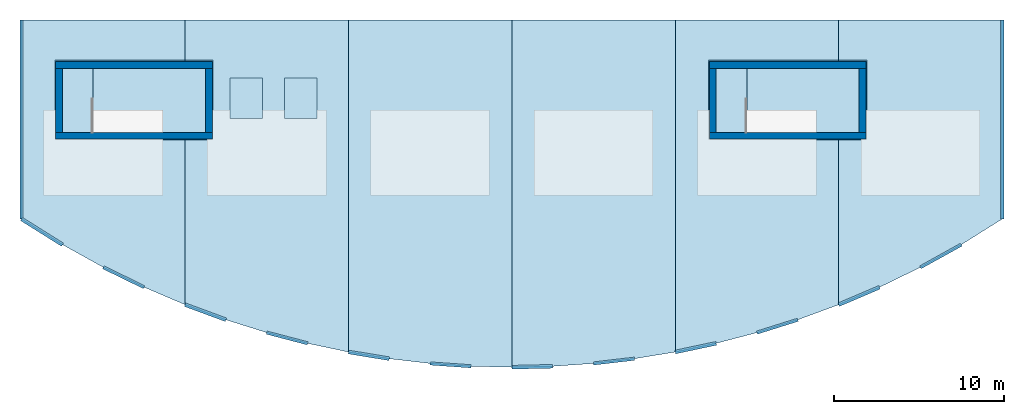
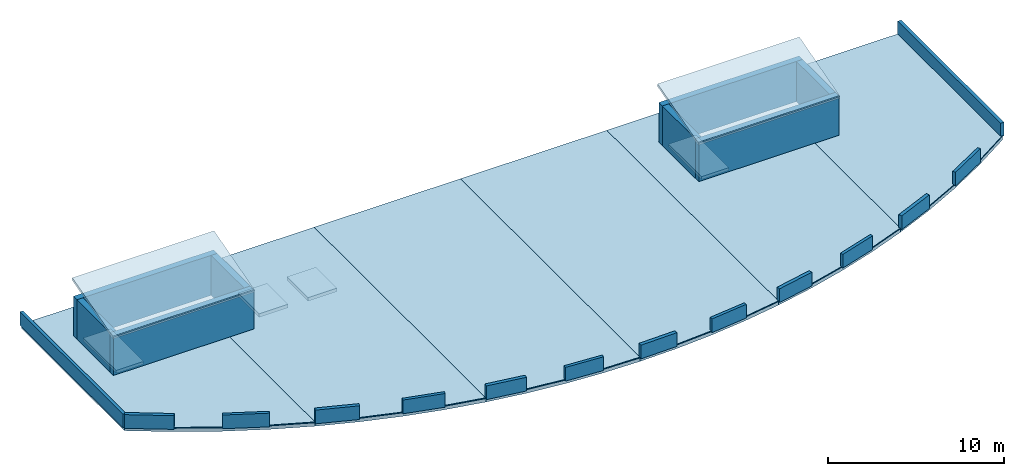
# One storey, part 1 of 2: 22 walls, 12 slabs, 6 roofs.
"""IFC4 building model written with IfcOpenShell, lengths in metres."""

from ifc_helpers import new_model, si_unit, direction, frame, frame_2d, origin, place, context, subcontext, project, spatial, polyline, rectangle, outline, extrude, material, layer, layer_set, type_object, element, save


model = new_model("IFC4")

# Units and contexts
model_context = context("Model", 3, precision=1e-05, world=origin(), true_north=direction((0.0, 1.0)))
body_context = subcontext(model_context, "Body", "Model", "MODEL_VIEW")
ifc_project = project(units=[si_unit("LENGTHUNIT", "METRE"), si_unit("AREAUNIT", "SQUARE_METRE"), si_unit("VOLUMEUNIT", "CUBIC_METRE"), si_unit("PLANEANGLEUNIT", "RADIAN"), si_unit("MASSUNIT", "GRAM", prefix="KILO")], contexts=[model_context])

# Site, building, storey
site_placement = place(None, origin())
site = spatial("IfcSite", under=ifc_project, at=site_placement, CompositionType="ELEMENT")
building_placement = place(site_placement, origin())
building = spatial("IfcBuilding", under=site, at=building_placement, Name="Brisavento Harbour Community Centre", CompositionType="ELEMENT")
storey_placement = place(building_placement, frame((0.0, 0.0, 24.60009765625)))
storey = spatial("IfcBuildingStorey", under=building, at=storey_placement, Name="RF", CompositionType="ELEMENT", Elevation=24.60009765625)

# Slabs
ifc_material_1 = material(Name="Concrete C35/45", Category="concrete")
ifc_layer_1 = layer(ifc_material_1, 0.199951171875, Name="Concrete C35/45")
ifc_layer_set_1 = layer_set([ifc_layer_1], Name="Concrete C35/45")
slab_type_1 = type_object("IfcSlabType", Name="SLB-LND-200", PredefinedType="LANDING", material=ifc_layer_set_1)
slab_1_placement = place(storey_placement, frame((0.0, 0.0, -0.2001953125)))
element("IfcSlab", 1, at=slab_1_placement, inside=storey, type_object=slab_type_1, Name="RF stair core C3A arrival landing", PredefinedType="LANDING", context=body_context, shape_type="SweptSolid", body=[
    extrude(outline(polyline([(117.60009765625, 16.199951171875), (119.407958984375, 16.199951171875), (119.407958984375, 19.949951171875), (117.60009765625, 19.949951171875), (117.60009765625, 16.199951171875)])), origin(), (0.0, 0.0, 1.0), 0.2001953125),
])
slab_2_placement = place(storey_placement, frame((0.0, 0.0, -0.2001953125)))
element("IfcSlab", 2, at=slab_2_placement, inside=storey, type_object=slab_type_1, Name="RF stair core C3B arrival landing", PredefinedType="LANDING", context=body_context, shape_type="SweptSolid", body=[
    extrude(outline(polyline([(156.0, 16.199951171875), (157.80810546875, 16.199951171875), (157.80810546875, 19.949951171875), (156.0, 19.949951171875), (156.0, 16.199951171875)])), origin(), (0.0, 0.0, 1.0), 0.2001953125),
])
ifc_layer_2 = layer(ifc_material_1, 0.239990234375, Name="Concrete C35/45")
ifc_layer_set_2 = layer_set([ifc_layer_2], Name="Concrete C35/45")
slab_type_2 = type_object("IfcSlabType", Name="SLB-RF-240", PredefinedType="ROOF", material=ifc_layer_set_2)
slab_3_placement = place(storey_placement, frame((0.0, 0.0, -0.239990234375)))
element("IfcSlab", 3, at=slab_3_placement, inside=storey, type_object=slab_type_2, Name="RF V3 top roof slab 01", PredefinedType="ROOF", context=body_context, shape_type="SweptSolid", body=[
    extrude(outline(polyline([(115.199951171875, 22.800048828125), (115.199951171875, 11.103759765625), (117.60009765625, 9.60009765625), (120.0, 8.269775390625), (122.39990234375, 7.098388671875), (124.800048828125, 6.074462890625), (124.800048828125, 15.780029296875), (117.179931640625, 15.780029296875), (117.179931640625, 20.3701171875), (124.800048828125, 20.3701171875), (124.800048828125, 22.800048828125), (115.199951171875, 22.800048828125)])), origin(), (0.0, 0.0, 1.0), 0.239990234375),
])
slab_4_placement = place(storey_placement, frame((0.0, 0.0, -0.239990234375)))
element("IfcSlab", 4, at=slab_4_placement, inside=storey, type_object=slab_type_2, Name="RF V3 top roof slab 02", PredefinedType="ROOF", context=body_context, shape_type="SweptSolid", body=[
    extrude(outline(polyline([(124.800048828125, 22.800048828125), (124.800048828125, 20.3701171875), (126.419921875, 20.3701171875), (126.419921875, 15.780029296875), (124.800048828125, 15.780029296875), (124.800048828125, 6.074462890625), (127.199951171875, 5.188720703125), (129.60009765625, 4.43359375), (132.0, 3.8037109375), (134.39990234375, 3.293701171875), (134.39990234375, 22.800048828125), (124.800048828125, 22.800048828125)]), holes=[polyline([(127.449951171875, 19.39990234375), (129.35009765625, 19.39990234375), (129.35009765625, 17.0), (127.449951171875, 17.0), (127.449951171875, 19.39990234375)]), polyline([(130.64990234375, 19.39990234375), (132.550048828125, 19.39990234375), (132.550048828125, 17.0), (130.64990234375, 17.0), (130.64990234375, 19.39990234375)])]), origin(), (0.0, 0.0, 1.0), 0.239990234375),
])
slab_5_placement = place(storey_placement, frame((0.0, 0.0, -0.239990234375)))
element("IfcSlab", 5, at=slab_5_placement, inside=storey, type_object=slab_type_2, Name="RF V3 top roof slab 03", PredefinedType="ROOF", context=body_context, shape_type="SweptSolid", body=[
    extrude(outline(polyline([(134.39990234375, 22.800048828125), (134.39990234375, 3.293701171875), (136.800048828125, 2.90087890625), (139.199951171875, 2.6220703125), (141.60009765625, 2.455322265625), (144.0, 2.39990234375), (144.0, 22.800048828125), (134.39990234375, 22.800048828125)])), origin(), (0.0, 0.0, 1.0), 0.239990234375),
])
slab_6_placement = place(storey_placement, frame((0.0, 0.0, -0.239990234375)))
element("IfcSlab", 6, at=slab_6_placement, inside=storey, type_object=slab_type_2, Name="RF V3 top roof slab 04", PredefinedType="ROOF", context=body_context, shape_type="SweptSolid", body=[
    extrude(outline(polyline([(144.0, 22.800048828125), (144.0, 2.39990234375), (146.39990234375, 2.455322265625), (148.800048828125, 2.6220703125), (151.199951171875, 2.90087890625), (153.60009765625, 3.293701171875), (153.60009765625, 22.800048828125), (144.0, 22.800048828125)])), origin(), (0.0, 0.0, 1.0), 0.239990234375),
])
slab_7_placement = place(storey_placement, frame((0.0, 0.0, -0.239990234375)))
element("IfcSlab", 7, at=slab_7_placement, inside=storey, type_object=slab_type_2, Name="RF V3 top roof slab 05", PredefinedType="ROOF", context=body_context, shape_type="SweptSolid", body=[
    extrude(outline(polyline([(153.60009765625, 22.800048828125), (153.60009765625, 3.293701171875), (156.0, 3.8037109375), (158.39990234375, 4.43359375), (160.800048828125, 5.188720703125), (163.199951171875, 6.074462890625), (163.199951171875, 15.780029296875), (155.580078125, 15.780029296875), (155.580078125, 20.3701171875), (163.199951171875, 20.3701171875), (163.199951171875, 22.800048828125), (153.60009765625, 22.800048828125)])), origin(), (0.0, 0.0, 1.0), 0.239990234375),
])
slab_8_placement = place(storey_placement, frame((0.0, 0.0, -0.239990234375)))
element("IfcSlab", 8, at=slab_8_placement, inside=storey, type_object=slab_type_2, Name="RF V3 top roof slab 06", PredefinedType="ROOF", context=body_context, shape_type="SweptSolid", body=[
    extrude(outline(polyline([(163.199951171875, 22.800048828125), (163.199951171875, 20.3701171875), (164.820068359375, 20.3701171875), (164.820068359375, 15.780029296875), (163.199951171875, 15.780029296875), (163.199951171875, 6.074462890625), (165.60009765625, 7.098388671875), (168.0, 8.269775390625), (170.39990234375, 9.60009765625), (172.800048828125, 11.103759765625), (172.800048828125, 22.800048828125), (163.199951171875, 22.800048828125)])), origin(), (0.0, 0.0, 1.0), 0.239990234375),
])
slab_9_placement = place(storey_placement, frame((0.0, 0.0, -0.239990234375)))
element("IfcSlab", 9, at=slab_9_placement, inside=storey, type_object=slab_type_2, Name="Lift LC-02 shaft overrun cap slab", PredefinedType="ROOF", context=body_context, shape_type="SweptSolid", body=[
    extrude(outline(polyline([(127.449951171875, 17.0), (129.35009765625, 17.0), (129.35009765625, 19.39990234375), (127.449951171875, 19.39990234375), (127.449951171875, 17.0)])), origin(), (0.0, 0.0, 1.0), 0.239990234375),
])
slab_10_placement = place(storey_placement, frame((0.0, 0.0, -0.239990234375)))
element("IfcSlab", 10, at=slab_10_placement, inside=storey, type_object=slab_type_2, Name="Lift LC-03 shaft overrun cap slab", PredefinedType="ROOF", context=body_context, shape_type="SweptSolid", body=[
    extrude(outline(polyline([(130.64990234375, 17.0), (132.550048828125, 17.0), (132.550048828125, 19.39990234375), (130.64990234375, 19.39990234375), (130.64990234375, 17.0)])), origin(), (0.0, 0.0, 1.0), 0.239990234375),
])
ifc_material_2 = material(Name="Precast concrete C40/50", Category="concrete")
ifc_layer_3 = layer(ifc_material_2, 0.179931640625, Name="Precast concrete C40/50")
ifc_layer_set_3 = layer_set([ifc_layer_3], Name="Precast concrete C40/50")
slab_type_3 = type_object("IfcSlabType", Name="SLB-SAW-180", PredefinedType="ROOF", material=ifc_layer_set_3)
for number, where, z_axis, x_axis, name in (
    (11, (117.14990234375, 15.75, 2.75), (0.0, -0.269213518356, 0.963080516642), (1.0, 0.0, 0.0), "RF stair core C3A pitched overrun hood"),
    (12, (155.550048828125, 15.75, 2.75), (0.0, -0.269213518356, 0.963080516642), (1.0, 0.0, 0.0), "RF stair core C3B pitched overrun hood"),
):
    element("IfcSlab", number, at=place(storey_placement, frame(where, z_axis=z_axis, x_axis=x_axis)), inside=storey, type_object=slab_type_3, Name=name, PredefinedType="ROOF", context=body_context, shape_type="SweptSolid", body=[
        extrude(outline(polyline([(0.0, 0.0), (9.300048828125, 0.0), (9.300048828125, 4.828155344648587), (0.0, 4.828155344648587), (0.0, 0.0)])), origin(), (0.0, 0.0, -1.0), 0.179931640625),
    ])

# Walls
ifc_material_3 = material(Name="Concrete C40/50", Category="concrete")
ifc_layer_4 = layer(ifc_material_3, 0.39990234375, Name="Concrete C40/50")
ifc_layer_set_4 = layer_set([ifc_layer_4], Name="Concrete C40/50")
wall_type_1 = type_object("IfcWallType", Name="WL-CORE-400", PredefinedType="SHEAR", material=ifc_layer_set_4)
for number, where, z_axis, x_axis, name in (
    (13, (117.199951171875, 16.0, 0.0), (0.0, 0.0, 1.0), (1.0, 0.0, 0.0), "RF core C3A shear wall L"),
    (14, (126.39990234375, 20.14990234375, 0.0), (0.0, 0.0, 1.0), (-1.0, 0.0, 0.0), "RF core C3A shear wall R"),
):
    element("IfcWall", number, at=place(storey_placement, frame(where, z_axis=z_axis, x_axis=x_axis)), inside=storey, type_object=wall_type_1, Name=name, PredefinedType="SHEAR", context=body_context, shape_type="SweptSolid", body=[
        extrude(rectangle(XDim=9.199951171875, YDim=0.39990234375, at=frame_2d((4.60009765625, 0.0))), origin(), (0.0, 0.0, 1.0), 2.77978515625),
    ])
for number, where, z_axis, x_axis, name in (
    (15, (126.199951171875, 16.199951171875, 0.0), (0.0, 0.0, 1.0), (0.0, 1.0, 0.0), "RF core C3A shear wall F"),
    (16, (117.39990234375, 19.949951171875, 0.0), (0.0, 0.0, 1.0), (0.0, -1.0, 0.0), "RF core C3A shear wall N"),
):
    element("IfcWall", number, at=place(storey_placement, frame(where, z_axis=z_axis, x_axis=x_axis)), inside=storey, type_object=wall_type_1, Name=name, PredefinedType="SHEAR", context=body_context, shape_type="SweptSolid", body=[
        extrude(rectangle(XDim=3.75, YDim=0.39990234375, at=frame_2d((1.875, 0.0))), origin(), (0.0, 0.0, 1.0), 2.77978515625),
    ])
for number, where, z_axis, x_axis, name in (
    (17, (155.60009765625, 16.0, 0.0), (0.0, 0.0, 1.0), (1.0, 0.0, 0.0), "RF core C3B shear wall L"),
    (18, (164.800048828125, 20.14990234375, 0.0), (0.0, 0.0, 1.0), (-1.0, 0.0, 0.0), "RF core C3B shear wall R"),
):
    element("IfcWall", number, at=place(storey_placement, frame(where, z_axis=z_axis, x_axis=x_axis)), inside=storey, type_object=wall_type_1, Name=name, PredefinedType="SHEAR", context=body_context, shape_type="SweptSolid", body=[
        extrude(rectangle(XDim=9.199951171875, YDim=0.39990234375, at=frame_2d((4.60009765625, 0.0))), origin(), (0.0, 0.0, 1.0), 2.77978515625),
    ])
for number, where, z_axis, x_axis, name in (
    (19, (164.60009765625, 16.199951171875, 0.0), (0.0, 0.0, 1.0), (0.0, 1.0, 0.0), "RF core C3B shear wall F"),
    (20, (155.800048828125, 19.949951171875, 0.0), (0.0, 0.0, 1.0), (0.0, -1.0, 0.0), "RF core C3B shear wall N"),
):
    element("IfcWall", number, at=place(storey_placement, frame(where, z_axis=z_axis, x_axis=x_axis)), inside=storey, type_object=wall_type_1, Name=name, PredefinedType="SHEAR", context=body_context, shape_type="SweptSolid", body=[
        extrude(rectangle(XDim=3.75, YDim=0.39990234375, at=frame_2d((1.875, 0.0))), origin(), (0.0, 0.0, 1.0), 2.77978515625),
    ])
ifc_layer_5 = layer(ifc_material_2, 0.18994140625, Name="Precast concrete C40/50")
ifc_layer_set_5 = layer_set([ifc_layer_5], Name="Precast concrete C40/50")
wall_type_2 = type_object("IfcWallType", Name="WL-PAR-190", PredefinedType="PARAPET", material=ifc_layer_set_5)
wall_1_placement = place(storey_placement, frame((120.0, 8.269775390625, 0.0), z_axis=(0.0, 0.0, 1.0), x_axis=(0.898664743111, -0.438636158438, 0.0)))
element("IfcWall", 21, at=wall_1_placement, inside=storey, type_object=wall_type_2, Name="RF roof parapet 03", PredefinedType="PARAPET", context=body_context, shape_type="SweptSolid", body=[
    extrude(rectangle(XDim=2.67041015625, YDim=0.18994140625, at=frame_2d((1.335205078125, 0.0))), origin(), (0.0, 0.0, 1.0), 0.949951171875),
])
wall_2_placement = place(storey_placement, frame((129.60009765625, 4.43359375, 0.0), z_axis=(0.0, 0.0, 1.0), x_axis=(0.96721586149, -0.253955660072, 0.0)))
element("IfcWall", 22, at=wall_2_placement, inside=storey, type_object=wall_type_2, Name="RF roof parapet 07", PredefinedType="PARAPET", context=body_context, shape_type="SweptSolid", body=[
    extrude(rectangle(XDim=2.481201171875, YDim=0.18994140625, at=frame_2d((1.24072265625, 0.0))), origin(), (0.0, 0.0, 1.0), 0.949951171875),
])
wall_3_placement = place(storey_placement, frame((139.199951171875, 2.6220703125, 0.0), z_axis=(0.0, 0.0, 1.0), x_axis=(0.99759537507, -0.069307053318, 0.0)))
element("IfcWall", 23, at=wall_3_placement, inside=storey, type_object=wall_type_2, Name="RF roof parapet 11", PredefinedType="PARAPET", context=body_context, shape_type="SweptSolid", body=[
    extrude(rectangle(XDim=2.406005859375, YDim=0.18994140625, at=frame_2d((1.203125, 0.0))), origin(), (0.0, 0.0, 1.0), 0.949951171875),
])
wall_4_placement = place(storey_placement, frame((148.800048828125, 2.6220703125, 0.0), z_axis=(0.0, 0.0, 1.0), x_axis=(0.993319237895, 0.1153988372, 0.0)))
element("IfcWall", 24, at=wall_4_placement, inside=storey, type_object=wall_type_2, Name="RF roof parapet 15", PredefinedType="PARAPET", context=body_context, shape_type="SweptSolid", body=[
    extrude(rectangle(XDim=2.416015625, YDim=0.18994140625, at=frame_2d((1.2080078125, 0.0))), origin(), (0.0, 0.0, 1.0), 0.949951171875),
])
wall_5_placement = place(storey_placement, frame((158.39990234375, 4.43359375, 0.0), z_axis=(0.0, 0.0, 1.0), x_axis=(0.953903275479, 0.300114213311, 0.0)))
element("IfcWall", 25, at=wall_5_placement, inside=storey, type_object=wall_type_2, Name="RF roof parapet 19", PredefinedType="PARAPET", context=body_context, shape_type="SweptSolid", body=[
    extrude(rectangle(XDim=2.51611328125, YDim=0.18994140625, at=frame_2d((1.258056640625, 0.0))), origin(), (0.0, 0.0, 1.0), 0.949951171875),
])
wall_6_placement = place(storey_placement, frame((168.0, 8.269775390625, 0.0), z_axis=(0.0, 0.0, 1.0), x_axis=(0.874614348922, 0.4848192866, 0.0)))
element("IfcWall", 26, at=wall_6_placement, inside=storey, type_object=wall_type_2, Name="RF roof parapet 23", PredefinedType="PARAPET", context=body_context, shape_type="SweptSolid", body=[
    extrude(rectangle(XDim=2.743896484375, YDim=0.18994140625, at=frame_2d((1.3720703125, 0.0))), origin(), (0.0, 0.0, 1.0), 0.949951171875),
])
wall_7_placement = place(storey_placement, frame((115.199951171875, 22.800048828125, 0.0), z_axis=(0.0, 0.0, 1.0), x_axis=(0.0, -1.0, 0.0)))
element("IfcWall", 27, at=wall_7_placement, inside=storey, type_object=wall_type_2, Name="RF roof parapet 27", PredefinedType="PARAPET", context=body_context, shape_type="SweptSolid", body=[
    extrude(rectangle(XDim=11.6962890625, YDim=0.18994140625, at=frame_2d((5.84814453125, 0.0))), origin(), (0.0, 0.0, 1.0), 0.949951171875),
])
ifc_layer_6 = layer(ifc_material_2, 0.219970703125, Name="Precast concrete C40/50")
ifc_layer_set_6 = layer_set([ifc_layer_6], Name="Precast concrete C40/50")
wall_type_3 = type_object("IfcWallType", Name="WL-PAR-220", PredefinedType="PARAPET", material=ifc_layer_set_6)
wall_8_placement = place(storey_placement, frame((115.199951171875, 11.103759765625, 0.0), z_axis=(0.0, 0.0, 1.0), x_axis=(0.847431224577, -0.53090518891, 0.0)))
element("IfcWall", 28, at=wall_8_placement, inside=storey, type_object=wall_type_3, Name="RF roof parapet 01", PredefinedType="PARAPET", context=body_context, shape_type="SweptSolid", body=[
    extrude(rectangle(XDim=2.832275390625, YDim=0.219970703125, at=frame_2d((1.416015625, 0.0))), origin(), (0.0, 0.0, 1.0), 0.949951171875),
])
wall_9_placement = place(storey_placement, frame((124.800048828125, 6.074462890625, 0.0), z_axis=(0.0, 0.0, 1.0), x_axis=(0.938144173723, -0.346244869, 0.0)))
element("IfcWall", 29, at=wall_9_placement, inside=storey, type_object=wall_type_3, Name="RF roof parapet 05", PredefinedType="PARAPET", context=body_context, shape_type="SweptSolid", body=[
    extrude(rectangle(XDim=2.55810546875, YDim=0.219970703125, at=frame_2d((1.279052734375, 0.0))), origin(), (0.0, 0.0, 1.0), 0.949951171875),
])
wall_10_placement = place(storey_placement, frame((134.39990234375, 3.2939453125, 0.0), z_axis=(0.0, 0.0, 1.0), x_axis=(0.986853923186, -0.161614771267, 0.0)))
element("IfcWall", 30, at=wall_10_placement, inside=storey, type_object=wall_type_3, Name="RF roof parapet 09", PredefinedType="PARAPET", context=body_context, shape_type="SweptSolid", body=[
    extrude(rectangle(XDim=2.43212890625, YDim=0.219970703125, at=frame_2d((1.216064453125, 0.0))), origin(), (0.0, 0.0, 1.0), 0.949951171875),
])
wall_11_placement = place(storey_placement, frame((144.0, 2.39990234375, 0.0), z_axis=(0.0, 0.0, 1.0), x_axis=(0.999733473111, 0.023086418962, 0.0)))
element("IfcWall", 31, at=wall_11_placement, inside=storey, type_object=wall_type_3, Name="RF roof parapet 13", PredefinedType="PARAPET", context=body_context, shape_type="SweptSolid", body=[
    extrude(rectangle(XDim=2.400634765625, YDim=0.219970703125, at=frame_2d((1.2001953125, 0.0))), origin(), (0.0, 0.0, 1.0), 0.949951171875),
])
wall_12_placement = place(storey_placement, frame((153.60009765625, 3.2939453125, 0.0), z_axis=(0.0, 0.0, 1.0), x_axis=(0.97819677064, 0.207680229942, 0.0)))
element("IfcWall", 32, at=wall_12_placement, inside=storey, type_object=wall_type_3, Name="RF roof parapet 17", PredefinedType="PARAPET", context=body_context, shape_type="SweptSolid", body=[
    extrude(rectangle(XDim=2.453369140625, YDim=0.219970703125, at=frame_2d((1.2265625, 0.0))), origin(), (0.0, 0.0, 1.0), 0.949951171875),
])
wall_13_placement = place(storey_placement, frame((163.199951171875, 6.074462890625, 0.0), z_axis=(0.0, 0.0, 1.0), x_axis=(0.919797079004, 0.392394359612, 0.0)))
element("IfcWall", 33, at=wall_13_placement, inside=storey, type_object=wall_type_3, Name="RF roof parapet 21", PredefinedType="PARAPET", context=body_context, shape_type="SweptSolid", body=[
    extrude(rectangle(XDim=2.609375, YDim=0.219970703125, at=frame_2d((1.3046875, 0.0))), origin(), (0.0, 0.0, 1.0), 0.949951171875),
])
wall_14_placement = place(storey_placement, frame((172.800048828125, 11.103759765625, 0.0), z_axis=(0.0, 0.0, 1.0), x_axis=(0.0, 1.0, 0.0)))
element("IfcWall", 34, at=wall_14_placement, inside=storey, type_object=wall_type_3, Name="RF roof parapet 25", PredefinedType="PARAPET", context=body_context, shape_type="SweptSolid", body=[
    extrude(rectangle(XDim=11.6962890625, YDim=0.219970703125, at=frame_2d((5.84814453125, 0.0))), origin(), (0.0, 0.0, 1.0), 0.949951171875),
])

# Roofs
ifc_layer_7 = layer(ifc_material_1, 0.239990234375, Name="Concrete C35/45")
ifc_layer_set_7 = layer_set([ifc_layer_7], Name="Concrete C35/45")
roof_type = type_object("IfcRoofType", Name="ROOF-FLAT", PredefinedType="FLAT_ROOF", material=ifc_layer_set_7)
roof_1_placement = place(storey_placement, origin())
element("IfcRoof", 35, at=roof_1_placement, inside=storey, type_object=roof_type, Name="RF V3 insulated flat roof zone 01", PredefinedType="FLAT_ROOF", context=body_context, shape_type="SweptSolid", body=[
    extrude(outline(polyline([(115.199951171875, 22.800048828125), (115.199951171875, 11.103759765625), (117.60009765625, 9.60009765625), (120.0, 8.269775390625), (122.39990234375, 7.098388671875), (124.800048828125, 6.074462890625), (124.800048828125, 15.780029296875), (117.179931640625, 15.780029296875), (117.179931640625, 20.3701171875), (124.800048828125, 20.3701171875), (124.800048828125, 22.800048828125), (115.199951171875, 22.800048828125)])), origin(), (0.0, 0.0, 1.0), 0.059814453125),
])
roof_2_placement = place(storey_placement, origin())
element("IfcRoof", 36, at=roof_2_placement, inside=storey, type_object=roof_type, Name="RF V3 insulated flat roof zone 02", PredefinedType="FLAT_ROOF", context=body_context, shape_type="SweptSolid", body=[
    extrude(outline(polyline([(124.800048828125, 22.800048828125), (124.800048828125, 20.3701171875), (126.419921875, 20.3701171875), (126.419921875, 15.780029296875), (124.800048828125, 15.780029296875), (124.800048828125, 6.074462890625), (127.199951171875, 5.188720703125), (129.60009765625, 4.43359375), (132.0, 3.8037109375), (134.39990234375, 3.293701171875), (134.39990234375, 22.800048828125), (124.800048828125, 22.800048828125)])), origin(), (0.0, 0.0, 1.0), 0.059814453125),
])
roof_3_placement = place(storey_placement, origin())
element("IfcRoof", 37, at=roof_3_placement, inside=storey, type_object=roof_type, Name="RF V3 insulated flat roof zone 03", PredefinedType="FLAT_ROOF", context=body_context, shape_type="SweptSolid", body=[
    extrude(outline(polyline([(134.39990234375, 22.800048828125), (134.39990234375, 3.293701171875), (136.800048828125, 2.90087890625), (139.199951171875, 2.6220703125), (141.60009765625, 2.455322265625), (144.0, 2.39990234375), (144.0, 22.800048828125), (134.39990234375, 22.800048828125)])), origin(), (0.0, 0.0, 1.0), 0.059814453125),
])
roof_4_placement = place(storey_placement, origin())
element("IfcRoof", 38, at=roof_4_placement, inside=storey, type_object=roof_type, Name="RF V3 insulated flat roof zone 04", PredefinedType="FLAT_ROOF", context=body_context, shape_type="SweptSolid", body=[
    extrude(outline(polyline([(144.0, 22.800048828125), (144.0, 2.39990234375), (146.39990234375, 2.455322265625), (148.800048828125, 2.6220703125), (151.199951171875, 2.90087890625), (153.60009765625, 3.293701171875), (153.60009765625, 22.800048828125), (144.0, 22.800048828125)])), origin(), (0.0, 0.0, 1.0), 0.059814453125),
])
roof_5_placement = place(storey_placement, origin())
element("IfcRoof", 39, at=roof_5_placement, inside=storey, type_object=roof_type, Name="RF V3 insulated flat roof zone 05", PredefinedType="FLAT_ROOF", context=body_context, shape_type="SweptSolid", body=[
    extrude(outline(polyline([(153.60009765625, 22.800048828125), (153.60009765625, 3.293701171875), (156.0, 3.8037109375), (158.39990234375, 4.43359375), (160.800048828125, 5.188720703125), (163.199951171875, 6.074462890625), (163.199951171875, 15.780029296875), (155.580078125, 15.780029296875), (155.580078125, 20.3701171875), (163.199951171875, 20.3701171875), (163.199951171875, 22.800048828125), (153.60009765625, 22.800048828125)])), origin(), (0.0, 0.0, 1.0), 0.059814453125),
])
roof_6_placement = place(storey_placement, origin())
element("IfcRoof", 40, at=roof_6_placement, inside=storey, type_object=roof_type, Name="RF V3 insulated flat roof zone 06", PredefinedType="FLAT_ROOF", context=body_context, shape_type="SweptSolid", body=[
    extrude(outline(polyline([(163.199951171875, 22.800048828125), (163.199951171875, 20.3701171875), (164.820068359375, 20.3701171875), (164.820068359375, 15.780029296875), (163.199951171875, 15.780029296875), (163.199951171875, 6.074462890625), (165.60009765625, 7.098388671875), (168.0, 8.269775390625), (170.39990234375, 9.60009765625), (172.800048828125, 11.103759765625), (172.800048828125, 22.800048828125), (163.199951171875, 22.800048828125)])), origin(), (0.0, 0.0, 1.0), 0.059814453125),
])

save(model, "model.ifc")
